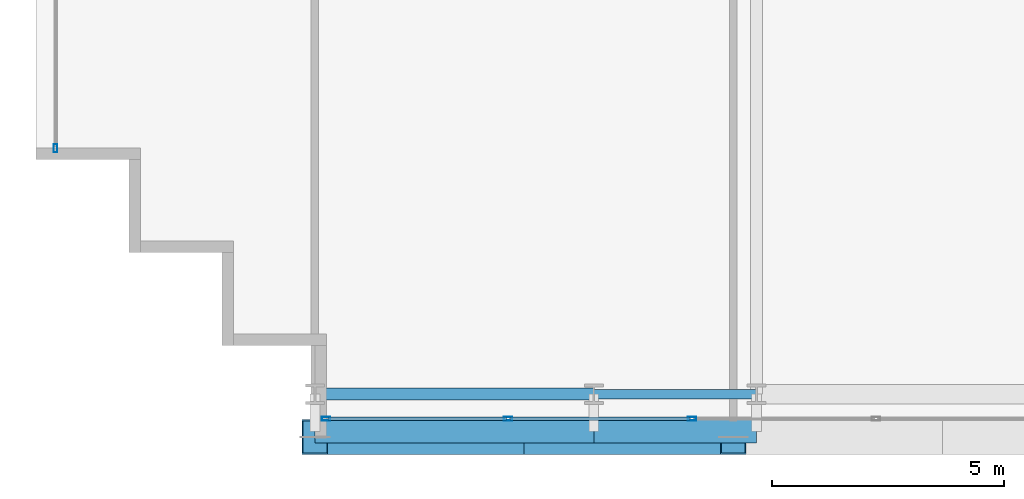
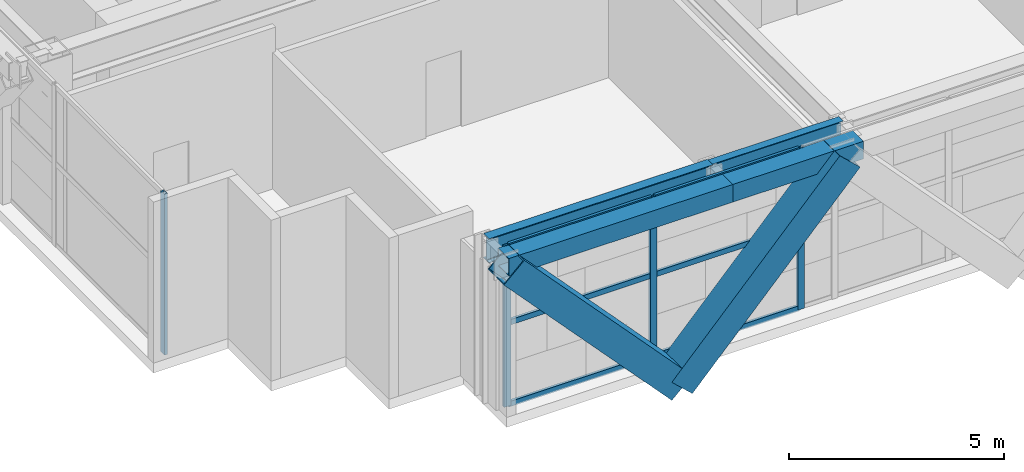
# One storey, part 2 of 38: 12 members, 4 beams, 2 elements without a shape of their own.
"""IFC4 building model written with IfcOpenShell, lengths in metres."""

from ifc_helpers import new_model, si_unit, direction, frame, origin, origin_2d, place, context, subcontext, project, spatial, hollow_rectangle, i_section, extrude, source, transform, mapped, material, layer, layer_set, material_profile, profile_set, type_object, element, aggregate, save


model = new_model("IFC4")

# Units and contexts
model_context = context("Model", 3, precision=1e-05, world=origin(), true_north=direction((0.0, 1.0)))
body_context = subcontext(model_context, "Body", "Model", "MODEL_VIEW")
ifc_project = project(units=[si_unit("LENGTHUNIT", "METRE"), si_unit("AREAUNIT", "SQUARE_METRE"), si_unit("VOLUMEUNIT", "CUBIC_METRE"), si_unit("PLANEANGLEUNIT", "RADIAN"), si_unit("MASSUNIT", "GRAM", prefix="KILO")], contexts=[model_context])

# Site, building, storey
site_placement = place(None, origin())
site = spatial("IfcSite", under=ifc_project, at=site_placement, CompositionType="ELEMENT")
building_placement = place(site_placement, origin())
building = spatial("IfcBuilding", under=site, at=building_placement, Name="Ocotamira Hotel", CompositionType="ELEMENT")
storey_placement = place(building_placement, frame((0.0, 0.0, 92.39990234375)))
storey = spatial("IfcBuildingStorey", under=building, at=storey_placement, Name="L22", CompositionType="ELEMENT", Elevation=92.39990234375)

# Beams
ifc_material_1 = material(Name="Steel ASTM A992 Grade 50", Category="steel")
ifc_material_profile_1 = material_profile(ifc_material_1, i_section(OverallWidth=0.256103515625, OverallDepth=0.693115234375, WebThickness=0.014404296875, FlangeThickness=0.023681640625, FilletRadius=0.01611328125, at=origin_2d()), Name="W27X114")
ifc_profile_set_1 = profile_set([ifc_material_profile_1], Name="Steel ASTM A992 Grade 50")
beam_type_1 = type_object("IfcBeamType", Name="BM-PRIM-W27X114", PredefinedType="BEAM", material=ifc_profile_set_1)
shared_shape_1 = source(origin(), body_context, "Body", "SweptSolid", [
    extrude(i_section(OverallWidth=0.256103515625, OverallDepth=0.693115234375, WebThickness=0.014404296875, FlangeThickness=0.023681640625, FilletRadius=0.01611328125, at=origin_2d()), origin(), (0.0, 0.0, 1.0), 6.0),
])
beam_1_placement = place(storey_placement, frame((14.0, 2.949951171875, 4.213623046875), z_axis=(1.0, 0.0, 0.0), x_axis=(0.0, 1.0, 0.0)))
element("IfcBeam", 1, at=beam_1_placement, inside=storey, type_object=beam_type_1, Name="L22 Girder Y2.95 X14-20", PredefinedType="BEAM", context=body_context, shape_type="MappedRepresentation", body=[
    mapped(shared_shape_1, transform((0.0, 0.0, 0.0), scale=1.0)),
])
ifc_material_profile_2 = material_profile(ifc_material_1, i_section(OverallWidth=0.2099609375, OverallDepth=0.537109375, WebThickness=0.010986328125, FlangeThickness=0.017333984375, FilletRadius=0.012939453125, at=origin_2d()), Name="W21X68")
ifc_profile_set_2 = profile_set([ifc_material_profile_2], Name="Steel ASTM A992 Grade 50")
beam_type_2 = type_object("IfcBeamType", Name="BM-SEC-W21X68", PredefinedType="JOIST", material=ifc_profile_set_2)
shared_shape_2 = source(origin(), body_context, "Body", "SweptSolid", [
    extrude(i_section(OverallWidth=0.2099609375, OverallDepth=0.537109375, WebThickness=0.010986328125, FlangeThickness=0.017333984375, FilletRadius=0.012939453125, at=origin_2d()), origin(), (0.0, 0.0, 1.0), 3.5),
])
beam_2_placement = place(storey_placement, frame((20.0, 2.949951171875, 4.29150390625), z_axis=(1.0, 0.0, 0.0), x_axis=(0.0, 1.0, 0.0)))
element("IfcBeam", 2, at=beam_2_placement, inside=storey, type_object=beam_type_2, Name="L22 Girder Y2.95 X20-23.5", PredefinedType="JOIST", context=body_context, shape_type="MappedRepresentation", body=[
    mapped(shared_shape_2, transform((0.0, 0.0, 0.0), scale=1.0)),
])
ifc_material_2 = material(Name="Steel ASTM A500 Grade C", Category="steel")
ifc_material_profile_3 = material_profile(ifc_material_2, hollow_rectangle(XDim=0.5, YDim=0.5, WallThickness=0.02001953125, at=origin_2d()), Name="HSS500X500X20")
ifc_profile_set_3 = profile_set([ifc_material_profile_3], Name="Steel ASTM A500 Grade C")
beam_type_3 = type_object("IfcBeamType", Name="BM-SPAN-HSS500", PredefinedType="USERDEFINED", material=ifc_profile_set_3)
shared_shape_3 = source(origin(), body_context, "Body", "SweptSolid", [
    extrude(hollow_rectangle(XDim=0.5, YDim=0.5, WallThickness=0.02001953125, at=origin_2d()), origin(), (0.0, 0.0, 1.0), 6.0),
])
beam_3_placement = place(storey_placement, frame((14.0, 2.14990234375, 4.31005859375), z_axis=(1.0, 0.0, 0.0), x_axis=(0.0, 1.0, 0.0)))
element("IfcBeam", 3, at=beam_3_placement, inside=storey, type_object=beam_type_3, Name="L22 Edge Spandrel S X14-20", ObjectType="SPANDREL", PredefinedType="USERDEFINED", context=body_context, shape_type="MappedRepresentation", body=[
    mapped(shared_shape_3, transform((0.0, 0.0, 0.0), scale=1.0)),
])
shared_shape_4 = source(origin(), body_context, "Body", "SweptSolid", [
    extrude(hollow_rectangle(XDim=0.5, YDim=0.5, WallThickness=0.02001953125, at=origin_2d()), origin(), (0.0, 0.0, 1.0), 3.5),
])
beam_4_placement = place(storey_placement, frame((20.0, 2.14990234375, 4.31005859375), z_axis=(1.0, 0.0, 0.0), x_axis=(0.0, 1.0, 0.0)))
element("IfcBeam", 4, at=beam_4_placement, inside=storey, type_object=beam_type_3, Name="L22 Edge Spandrel S X20-23.5", ObjectType="SPANDREL", PredefinedType="USERDEFINED", context=body_context, shape_type="MappedRepresentation", body=[
    mapped(shared_shape_4, transform((0.0, 0.0, 0.0), scale=1.0)),
])

# Members
ifc_material_3 = material(Name="Pale-metal coated steel ASTM A913 Grade 65", Category="steel")
ifc_material_profile_4 = material_profile(ifc_material_3, hollow_rectangle(XDim=0.75, YDim=0.75, WallThickness=0.028076171875, at=origin_2d()), Name="BOX750X750X28")
ifc_profile_set_4 = profile_set([ifc_material_profile_4], Name="Pale-metal coated steel ASTM A913 Grade 65")
member_type_1 = type_object("IfcMemberType", Name="MEM-EXO-BOX750", PredefinedType="BRACE", material=ifc_profile_set_4)
shared_shape_5 = source(origin(), body_context, "Body", "SweptSolid", [
    extrude(hollow_rectangle(XDim=0.75, YDim=0.75, WallThickness=0.028076171875, at=origin_2d()), origin(), (0.0, 0.0, 1.0), 6.608642578125),
])
for number, where, z_axis, x_axis, name in (
    (5, (18.5, 2.030029296875, -0.52978515625), (-0.680927060572, 0.0, 0.732351239625), (0.0, -1.0, 0.0), "L22 Exoskeleton Diagrid S0.1"),
    (6, (18.5, 2.030029296875, -0.52978515625), (0.680927060572, 0.0, 0.732351239625), (0.0, 1.0, 0.0), "L22 Exoskeleton Diagrid S0.2"),
):
    element("IfcMember", number, at=place(storey_placement, frame(where, z_axis=z_axis, x_axis=x_axis)), inside=storey, type_object=member_type_1, Name=name, PredefinedType="BRACE", context=body_context, shape_type="MappedRepresentation", body=[
        mapped(shared_shape_5, transform((0.0, 0.0, 0.0), scale=1.0)),
    ])

# Curtain wall, members
ifc_material_4 = material(Name="Anodised pale-metal aluminium and solar glass", Category="aluminium")
ifc_layer = layer(ifc_material_4, 0.239990234375)
ifc_layer_set = layer_set([ifc_layer], Name="Anodised pale-metal aluminium and solar glass")
curtain_wall_type = type_object("IfcCurtainWallType", Name="CW-SYS5-SKY", PredefinedType="NOTDEFINED", material=ifc_layer_set)
curtain_wall_1_placement = place(storey_placement, origin())
curtain_wall_1 = element("IfcCurtainWall", 7, at=curtain_wall_1_placement, inside=storey, type_object=curtain_wall_type, Name="L22 Curtain Wall CW-5 CW-L22-S1", PredefinedType="NOTDEFINED")
ifc_material_5 = material(Name="Anodised pale-metal aluminium 6063-T6", Category="aluminium")
ifc_material_profile_5 = material_profile(ifc_material_5, hollow_rectangle(XDim=0.074951171875, YDim=0.14990234375, WallThickness=0.006103515625, at=origin_2d()), Name="HSS150X75X6")
ifc_profile_set_5 = profile_set([ifc_material_profile_5], Name="Anodised pale-metal aluminium 6063-T6")
member_type_2 = type_object("IfcMemberType", Name="CWT-150X75", PredefinedType="USERDEFINED", material=ifc_profile_set_5)
shared_shape_6 = source(origin(), body_context, "Body", "SweptSolid", [
    extrude(hollow_rectangle(XDim=0.074951171875, YDim=0.14990234375, WallThickness=0.006103515625, at=origin_2d()), origin(), (0.0, 0.0, 1.0), 3.83544921875),
])
member_1_placement = place(storey_placement, frame((14.280029296875, 2.419921875, 0.03759765625), z_axis=(1.0, 0.0, 0.0), x_axis=(0.0, 1.0, 0.0)))
member_1 = element("IfcMember", 8, at=member_1_placement, type_object=member_type_2, Name="CW-5 transom 1.1", ObjectType="TRANSOM", PredefinedType="USERDEFINED", context=body_context, shape_type="MappedRepresentation", body=[
    mapped(shared_shape_6, transform((0.0, 0.0, 0.0), scale=1.0)),
])
member_2_placement = place(storey_placement, frame((14.280029296875, 2.419921875, 2.35009765625), z_axis=(1.0, 0.0, 0.0), x_axis=(0.0, 1.0, 0.0)))
member_2 = element("IfcMember", 9, at=member_2_placement, type_object=member_type_2, Name="CW-5 transom 1.2", ObjectType="TRANSOM", PredefinedType="USERDEFINED", context=body_context, shape_type="MappedRepresentation", body=[
    mapped(shared_shape_6, transform((0.0, 0.0, 0.0), scale=1.0)),
])
member_3_placement = place(storey_placement, frame((14.280029296875, 2.419921875, 4.522705078125), z_axis=(1.0, 0.0, 0.0), x_axis=(0.0, 1.0, 0.0)))
member_3 = element("IfcMember", 10, at=member_3_placement, type_object=member_type_2, Name="CW-5 transom 1.3", ObjectType="TRANSOM", PredefinedType="USERDEFINED", context=body_context, shape_type="MappedRepresentation", body=[
    mapped(shared_shape_6, transform((0.0, 0.0, 0.0), scale=1.0)),
])
shared_shape_7 = source(origin(), body_context, "Body", "SweptSolid", [
    extrude(hollow_rectangle(XDim=0.074951171875, YDim=0.14990234375, WallThickness=0.006103515625, at=origin_2d()), origin(), (0.0, 0.0, 1.0), 3.87548828125),
])
member_4_placement = place(storey_placement, frame((18.195556640625, 2.419921875, 0.03759765625), z_axis=(1.0, 0.0, 0.0), x_axis=(0.0, 1.0, 0.0)))
member_4 = element("IfcMember", 11, at=member_4_placement, type_object=member_type_2, Name="CW-5 transom 2.1", ObjectType="TRANSOM", PredefinedType="USERDEFINED", context=body_context, shape_type="MappedRepresentation", body=[
    mapped(shared_shape_7, transform((0.0, 0.0, 0.0), scale=1.0)),
])
member_5_placement = place(storey_placement, frame((18.195556640625, 2.419921875, 2.35009765625), z_axis=(1.0, 0.0, 0.0), x_axis=(0.0, 1.0, 0.0)))
member_5 = element("IfcMember", 12, at=member_5_placement, type_object=member_type_2, Name="CW-5 transom 2.2", ObjectType="TRANSOM", PredefinedType="USERDEFINED", context=body_context, shape_type="MappedRepresentation", body=[
    mapped(shared_shape_7, transform((0.0, 0.0, 0.0), scale=1.0)),
])
member_6_placement = place(storey_placement, frame((18.195556640625, 2.419921875, 4.522705078125), z_axis=(1.0, 0.0, 0.0), x_axis=(0.0, 1.0, 0.0)))
member_6 = element("IfcMember", 13, at=member_6_placement, type_object=member_type_2, Name="CW-5 transom 2.3", ObjectType="TRANSOM", PredefinedType="USERDEFINED", context=body_context, shape_type="MappedRepresentation", body=[
    mapped(shared_shape_7, transform((0.0, 0.0, 0.0), scale=1.0)),
])
ifc_material_profile_6 = material_profile(ifc_material_5, hollow_rectangle(XDim=0.080078125, YDim=0.179931640625, WallThickness=0.006103515625, at=origin_2d()), Name="HSS180X80X6")
ifc_profile_set_6 = profile_set([ifc_material_profile_6], Name="Anodised pale-metal aluminium 6063-T6")
member_type_3 = type_object("IfcMemberType", Name="CWM-180X75", PredefinedType="MULLION", material=ifc_profile_set_6)
shared_shape_8 = source(origin(), body_context, "Body", "SweptSolid", [
    extrude(hollow_rectangle(XDim=0.080078125, YDim=0.179931640625, WallThickness=0.006103515625, at=origin_2d()), origin(), (0.0, 0.0, 1.0), 4.56005859375),
])
member_7_placement = place(storey_placement, frame((14.239990234375, 2.419921875, 0.0), z_axis=(0.0, 0.0, 1.0), x_axis=(0.0, 1.0, 0.0)))
member_7 = element("IfcMember", 14, at=member_7_placement, type_object=member_type_3, Name="CW-5 mullion 1", PredefinedType="MULLION", context=body_context, shape_type="MappedRepresentation", body=[
    mapped(shared_shape_8, transform((0.0, 0.0, 0.0), scale=1.0)),
])
member_8_placement = place(storey_placement, frame((18.155517578125, 2.419921875, 0.0), z_axis=(0.0, 0.0, 1.0), x_axis=(0.0, 1.0, 0.0)))
member_8 = element("IfcMember", 15, at=member_8_placement, type_object=member_type_3, Name="CW-5 mullion 2", PredefinedType="MULLION", context=body_context, shape_type="MappedRepresentation", body=[
    mapped(shared_shape_8, transform((0.0, 0.0, 0.0), scale=1.0)),
])
member_9_placement = place(storey_placement, frame((22.111083984375, 2.419921875, 0.0), z_axis=(0.0, 0.0, 1.0), x_axis=(0.0, 1.0, 0.0)))
member_9 = element("IfcMember", 16, at=member_9_placement, type_object=member_type_3, Name="CW-5 mullion 3", PredefinedType="MULLION", context=body_context, shape_type="MappedRepresentation", body=[
    mapped(shared_shape_8, transform((0.0, 0.0, 0.0), scale=1.0)),
])
aggregate(curtain_wall_1, [member_7, member_8, member_9, member_1, member_2, member_3, member_4, member_5, member_6])

# Curtain wall, member
curtain_wall_2_placement = place(storey_placement, origin())
curtain_wall_2 = element("IfcCurtainWall", 17, at=curtain_wall_2_placement, inside=storey, type_object=curtain_wall_type, Name="L22 Curtain Wall CW-5 CW-L22-W", PredefinedType="NOTDEFINED")
member_10_placement = place(storey_placement, frame((8.419921875, 8.239990234375, 0.0), z_axis=(0.0, 0.0, 1.0), x_axis=(-1.0, 0.0, 0.0)))
member_10 = element("IfcMember", 18, at=member_10_placement, type_object=member_type_3, Name="CW-5 mullion 1", PredefinedType="MULLION", context=body_context, shape_type="MappedRepresentation", body=[
    mapped(shared_shape_8, transform((0.0, 0.0, 0.0), scale=1.0)),
])
aggregate(curtain_wall_2, [member_10])

save(model, "model.ifc")
